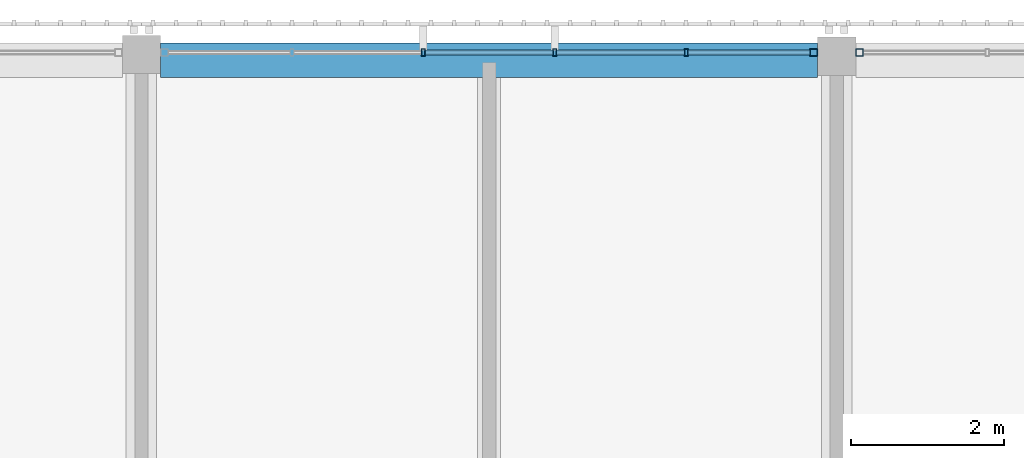
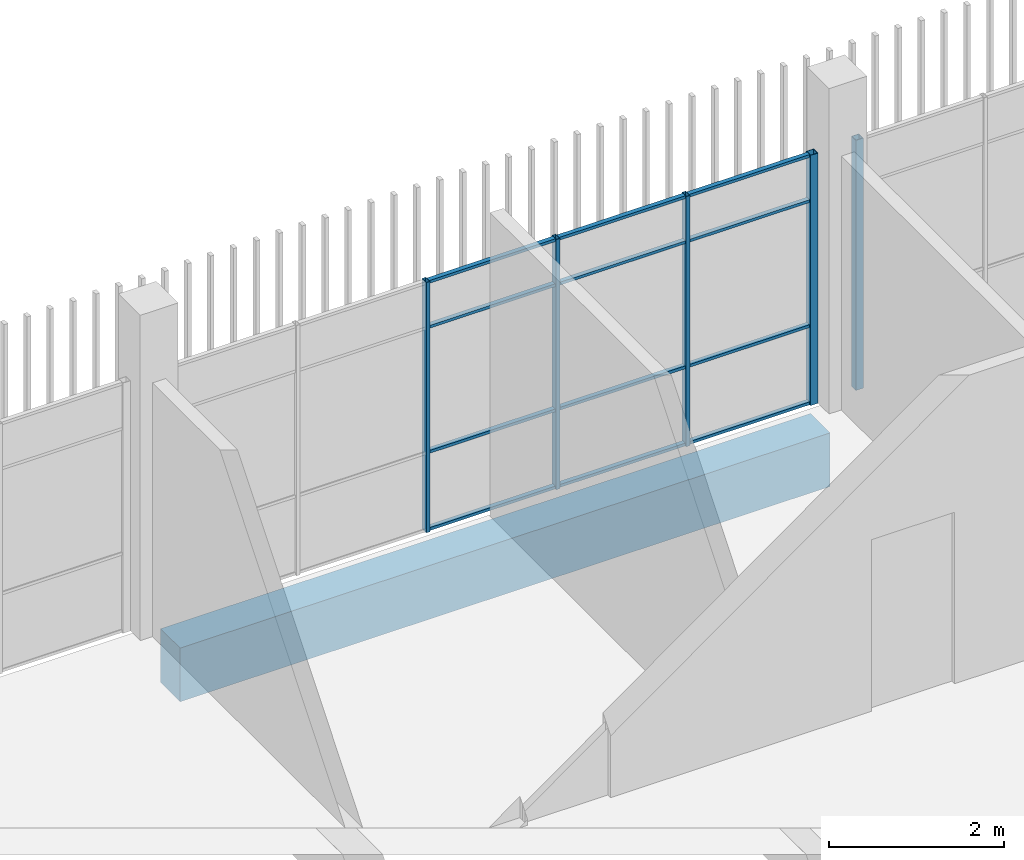
# One storey, part 36 of 124: 17 members, 1 beam, 2 elements without a shape of their own.
"""IFC4 building model written with IfcOpenShell, lengths in metres."""

from ifc_helpers import new_model, si_unit, direction, frame, origin, origin_2d, place, context, subcontext, project, spatial, rectangle, hollow_rectangle, extrude, material, layer, layer_set, material_profile, profile_set, type_object, element, aggregate, save


model = new_model("IFC4")

# Units and contexts
model_context = context("Model", 3, precision=1e-05, world=origin(), true_north=direction((0.0, 1.0)))
body_context = subcontext(model_context, "Body", "Model", "MODEL_VIEW")
ifc_project = project(units=[si_unit("LENGTHUNIT", "METRE"), si_unit("AREAUNIT", "SQUARE_METRE"), si_unit("VOLUMEUNIT", "CUBIC_METRE"), si_unit("PLANEANGLEUNIT", "RADIAN"), si_unit("MASSUNIT", "GRAM", prefix="KILO")], contexts=[model_context])

# Site, building, storey
site_placement = place(None, origin())
site = spatial("IfcSite", under=ifc_project, at=site_placement, CompositionType="ELEMENT")
building_placement = place(site_placement, origin())
building = spatial("IfcBuilding", under=site, at=building_placement, Name="Shirokan Park Arena", CompositionType="ELEMENT")
storey_placement = place(building_placement, frame((0.0, 0.0, 20.02001953125)))
storey = spatial("IfcBuildingStorey", under=building, at=storey_placement, Name="L04", CompositionType="ELEMENT", Elevation=20.02001953125)

# Curtain wall, member
ifc_material_1 = material(Name="Steel and glass curtain wall", Category="steel")
ifc_layer = layer(ifc_material_1, 0.10009765625)
ifc_layer_set = layer_set([ifc_layer], Name="Steel and glass curtain wall 100 mm")
curtain_wall_type = type_object("IfcCurtainWallType", Name="Curtain wall sheltered bay 100", PredefinedType="NOTDEFINED", material=ifc_layer_set)
curtain_wall_1_placement = place(storey_placement, origin())
curtain_wall_1 = element("IfcCurtainWall", 1, at=curtain_wall_1_placement, inside=storey, type_object=curtain_wall_type, Name="Curtain wall north bay 10 L04", PredefinedType="NOTDEFINED")
ifc_material_2 = material(Name="Steel S355", Category="steel")
ifc_material_profile_1 = material_profile(ifc_material_2, hollow_rectangle(XDim=0.10009765625, YDim=0.10009765625, WallThickness=0.006103515625, at=origin_2d()), Name="RHS 100x100x6")
ifc_profile_set_1 = profile_set([ifc_material_profile_1], Name="Steel S355")
member_type_1 = type_object("IfcMemberType", Name="Mullion RHS 100x100x6", PredefinedType="MULLION", material=ifc_profile_set_1)
member_1_placement = place(storey_placement, frame((54.89990234375, 109.300048828125, 0.0), z_axis=(0.0, 0.0, 1.0), x_axis=(0.0, -1.0, 0.0)))
member_1 = element("IfcMember", 2, at=member_1_placement, type_object=member_type_1, Name="CW2 mullion 6", PredefinedType="MULLION", context=body_context, shape_type="SweptSolid", body=[
    extrude(hollow_rectangle(XDim=0.10009765625, YDim=0.10009765625, WallThickness=0.006103515625, at=origin_2d()), origin(), (0.0, 0.0, 1.0), 3.5),
])
aggregate(curtain_wall_1, [member_1])

# Curtain wall, members
curtain_wall_2_placement = place(storey_placement, origin())
curtain_wall_2 = element("IfcCurtainWall", 3, at=curtain_wall_2_placement, inside=storey, type_object=curtain_wall_type, Name="Curtain wall north bay 11 L04", PredefinedType="NOTDEFINED")
member_2_placement = place(storey_placement, frame((54.300048828125, 109.300048828125, 0.0), z_axis=(0.0, 0.0, 1.0), x_axis=(0.0, -1.0, 0.0)))
member_2 = element("IfcMember", 4, at=member_2_placement, type_object=member_type_1, Name="CW2 mullion 1", PredefinedType="MULLION", context=body_context, shape_type="SweptSolid", body=[
    extrude(hollow_rectangle(XDim=0.10009765625, YDim=0.10009765625, WallThickness=0.006103515625, at=origin_2d()), origin(), (0.0, 0.0, 1.0), 3.5),
])
ifc_material_profile_2 = material_profile(ifc_material_2, hollow_rectangle(XDim=0.10009765625, YDim=0.050048828125, WallThickness=0.0048828125, at=origin_2d()), Name="RHS 100x50x5")
ifc_profile_set_2 = profile_set([ifc_material_profile_2], Name="Steel S355")
member_type_2 = type_object("IfcMemberType", Name="Mullion RHS 100x50x5", PredefinedType="MULLION", material=ifc_profile_set_2)
member_3_placement = place(storey_placement, frame((52.6298828125, 109.300048828125, 0.0), z_axis=(0.0, 0.0, 1.0), x_axis=(0.0, -1.0, 0.0)))
member_3 = element("IfcMember", 5, at=member_3_placement, type_object=member_type_2, Name="CW2 mullion 2", PredefinedType="MULLION", context=body_context, shape_type="SweptSolid", body=[
    extrude(hollow_rectangle(XDim=0.10009765625, YDim=0.050048828125, WallThickness=0.0048828125, at=origin_2d()), origin(), (0.0, 0.0, 1.0), 3.5),
])
member_4_placement = place(storey_placement, frame((50.909912109375, 109.300048828125, 0.0), z_axis=(0.0, 0.0, 1.0), x_axis=(0.0, -1.0, 0.0)))
member_4 = element("IfcMember", 6, at=member_4_placement, type_object=member_type_2, Name="CW2 mullion 3", PredefinedType="MULLION", context=body_context, shape_type="SweptSolid", body=[
    extrude(hollow_rectangle(XDim=0.10009765625, YDim=0.050048828125, WallThickness=0.0048828125, at=origin_2d()), origin(), (0.0, 0.0, 1.0), 3.5),
])
member_5_placement = place(storey_placement, frame((49.18994140625, 109.300048828125, 0.0), z_axis=(0.0, 0.0, 1.0), x_axis=(0.0, -1.0, 0.0)))
member_5 = element("IfcMember", 7, at=member_5_placement, type_object=member_type_2, Name="CW2 mullion 4", PredefinedType="MULLION", context=body_context, shape_type="SweptSolid", body=[
    extrude(hollow_rectangle(XDim=0.10009765625, YDim=0.050048828125, WallThickness=0.0048828125, at=origin_2d()), origin(), (0.0, 0.0, 1.0), 3.5),
])

# Beam
ifc_material_3 = material(Name="Concrete C35", Category="concrete")
ifc_material_profile_3 = material_profile(ifc_material_3, rectangle(XDim=0.449951171875, YDim=0.75, at=origin_2d()), Name="450x750")
ifc_profile_set_3 = profile_set([ifc_material_profile_3], Name="Concrete C35")
beam_type = type_object("IfcBeamType", Name="RC girder 450x750", PredefinedType="BEAM", material=ifc_profile_set_3)
beam_placement = place(storey_placement, frame((45.75, 109.199951171875, -0.625), z_axis=(1.0, 0.0, 0.0), x_axis=(0.0, 1.0, 0.0)))
element("IfcBeam", 8, at=beam_placement, inside=storey, type_object=beam_type, Name="Girder 6N-7N L04", PredefinedType="BEAM", context=body_context, shape_type="SweptSolid", body=[
    extrude(rectangle(XDim=0.449951171875, YDim=0.75, at=origin_2d()), origin(), (0.0, 0.0, 1.0), 8.599853515625),
])

# Member
ifc_material_profile_4 = material_profile(ifc_material_2, hollow_rectangle(XDim=0.06005859375, YDim=0.0400390625, WallThickness=0.00390625, at=origin_2d()), Name="RHS 60x40x4")
ifc_profile_set_4 = profile_set([ifc_material_profile_4], Name="Steel S355")
member_type_3 = type_object("IfcMemberType", Name="Transom RHS 60x40x4", PredefinedType="MULLION", material=ifc_profile_set_4)
member_6_placement = place(storey_placement, frame((54.25, 109.300048828125, 0.02001953125), z_axis=(-1.0, 0.0, 0.0), x_axis=(0.0, -1.0, 0.0)))
member_6 = element("IfcMember", 9, at=member_6_placement, type_object=member_type_3, Name="CW2 transom 1.1", PredefinedType="MULLION", context=body_context, shape_type="SweptSolid", body=[
    extrude(hollow_rectangle(XDim=0.06005859375, YDim=0.0400390625, WallThickness=0.00390625, at=origin_2d()), origin(), (0.0, 0.0, 1.0), 1.594970703125),
])

member_7_placement = place(storey_placement, frame((54.25, 109.300048828125, 1.10009765625), z_axis=(-1.0, 0.0, 0.0), x_axis=(0.0, -1.0, 0.0)))
member_7 = element("IfcMember", 10, at=member_7_placement, type_object=member_type_3, Name="CW2 transom 1.2", PredefinedType="MULLION", context=body_context, shape_type="SweptSolid", body=[
    extrude(hollow_rectangle(XDim=0.06005859375, YDim=0.0400390625, WallThickness=0.00390625, at=origin_2d()), origin(), (0.0, 0.0, 1.0), 1.594970703125),
])

member_8_placement = place(storey_placement, frame((54.25, 109.300048828125, 2.85009765625), z_axis=(-1.0, 0.0, 0.0), x_axis=(0.0, -1.0, 0.0)))
member_8 = element("IfcMember", 11, at=member_8_placement, type_object=member_type_3, Name="CW2 transom 1.3", PredefinedType="MULLION", context=body_context, shape_type="SweptSolid", body=[
    extrude(hollow_rectangle(XDim=0.06005859375, YDim=0.0400390625, WallThickness=0.00390625, at=origin_2d()), origin(), (0.0, 0.0, 1.0), 1.594970703125),
])

member_9_placement = place(storey_placement, frame((54.25, 109.300048828125, 3.47998046875), z_axis=(-1.0, 0.0, 0.0), x_axis=(0.0, -1.0, 0.0)))
member_9 = element("IfcMember", 12, at=member_9_placement, type_object=member_type_3, Name="CW2 transom 1.4", PredefinedType="MULLION", context=body_context, shape_type="SweptSolid", body=[
    extrude(hollow_rectangle(XDim=0.06005859375, YDim=0.0400390625, WallThickness=0.00390625, at=origin_2d()), origin(), (0.0, 0.0, 1.0), 1.594970703125),
])

member_10_placement = place(storey_placement, frame((52.60498046875, 109.300048828125, 0.02001953125), z_axis=(-1.0, 0.0, 0.0), x_axis=(0.0, -1.0, 0.0)))
member_10 = element("IfcMember", 13, at=member_10_placement, type_object=member_type_3, Name="CW2 transom 2.1", PredefinedType="MULLION", context=body_context, shape_type="SweptSolid", body=[
    extrude(hollow_rectangle(XDim=0.06005859375, YDim=0.0400390625, WallThickness=0.00390625, at=origin_2d()), origin(), (0.0, 0.0, 1.0), 1.669921875),
])

member_11_placement = place(storey_placement, frame((52.60498046875, 109.300048828125, 1.10009765625), z_axis=(-1.0, 0.0, 0.0), x_axis=(0.0, -1.0, 0.0)))
member_11 = element("IfcMember", 14, at=member_11_placement, type_object=member_type_3, Name="CW2 transom 2.2", PredefinedType="MULLION", context=body_context, shape_type="SweptSolid", body=[
    extrude(hollow_rectangle(XDim=0.06005859375, YDim=0.0400390625, WallThickness=0.00390625, at=origin_2d()), origin(), (0.0, 0.0, 1.0), 1.669921875),
])

member_12_placement = place(storey_placement, frame((52.60498046875, 109.300048828125, 2.85009765625), z_axis=(-1.0, 0.0, 0.0), x_axis=(0.0, -1.0, 0.0)))
member_12 = element("IfcMember", 15, at=member_12_placement, type_object=member_type_3, Name="CW2 transom 2.3", PredefinedType="MULLION", context=body_context, shape_type="SweptSolid", body=[
    extrude(hollow_rectangle(XDim=0.06005859375, YDim=0.0400390625, WallThickness=0.00390625, at=origin_2d()), origin(), (0.0, 0.0, 1.0), 1.669921875),
])

member_13_placement = place(storey_placement, frame((52.60498046875, 109.300048828125, 3.47998046875), z_axis=(-1.0, 0.0, 0.0), x_axis=(0.0, -1.0, 0.0)))
member_13 = element("IfcMember", 16, at=member_13_placement, type_object=member_type_3, Name="CW2 transom 2.4", PredefinedType="MULLION", context=body_context, shape_type="SweptSolid", body=[
    extrude(hollow_rectangle(XDim=0.06005859375, YDim=0.0400390625, WallThickness=0.00390625, at=origin_2d()), origin(), (0.0, 0.0, 1.0), 1.669921875),
])

member_14_placement = place(storey_placement, frame((50.885009765625, 109.300048828125, 0.02001953125), z_axis=(-1.0, 0.0, 0.0), x_axis=(0.0, -1.0, 0.0)))
member_14 = element("IfcMember", 17, at=member_14_placement, type_object=member_type_3, Name="CW2 transom 3.1", PredefinedType="MULLION", context=body_context, shape_type="SweptSolid", body=[
    extrude(hollow_rectangle(XDim=0.06005859375, YDim=0.0400390625, WallThickness=0.00390625, at=origin_2d()), origin(), (0.0, 0.0, 1.0), 1.669921875),
])

member_15_placement = place(storey_placement, frame((50.885009765625, 109.300048828125, 1.10009765625), z_axis=(-1.0, 0.0, 0.0), x_axis=(0.0, -1.0, 0.0)))
member_15 = element("IfcMember", 18, at=member_15_placement, type_object=member_type_3, Name="CW2 transom 3.2", PredefinedType="MULLION", context=body_context, shape_type="SweptSolid", body=[
    extrude(hollow_rectangle(XDim=0.06005859375, YDim=0.0400390625, WallThickness=0.00390625, at=origin_2d()), origin(), (0.0, 0.0, 1.0), 1.669921875),
])

member_16_placement = place(storey_placement, frame((50.885009765625, 109.300048828125, 2.85009765625), z_axis=(-1.0, 0.0, 0.0), x_axis=(0.0, -1.0, 0.0)))
member_16 = element("IfcMember", 19, at=member_16_placement, type_object=member_type_3, Name="CW2 transom 3.3", PredefinedType="MULLION", context=body_context, shape_type="SweptSolid", body=[
    extrude(hollow_rectangle(XDim=0.06005859375, YDim=0.0400390625, WallThickness=0.00390625, at=origin_2d()), origin(), (0.0, 0.0, 1.0), 1.669921875),
])

member_17_placement = place(storey_placement, frame((50.885009765625, 109.300048828125, 3.47998046875), z_axis=(-1.0, 0.0, 0.0), x_axis=(0.0, -1.0, 0.0)))
member_17 = element("IfcMember", 20, at=member_17_placement, type_object=member_type_3, Name="CW2 transom 3.4", PredefinedType="MULLION", context=body_context, shape_type="SweptSolid", body=[
    extrude(hollow_rectangle(XDim=0.06005859375, YDim=0.0400390625, WallThickness=0.00390625, at=origin_2d()), origin(), (0.0, 0.0, 1.0), 1.669921875),
])

aggregate(curtain_wall_2, [member_2, member_3, member_4, member_5, member_6, member_7, member_8, member_9, member_10, member_11, member_12, member_13, member_14, member_15, member_16, member_17])

save(model, "model.ifc")
